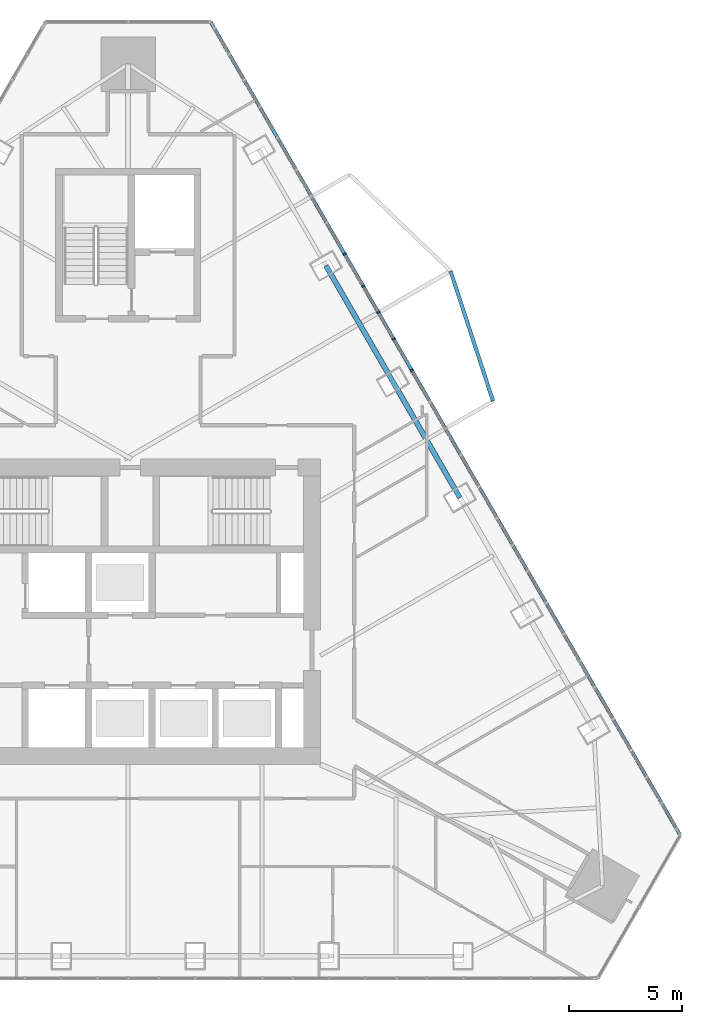
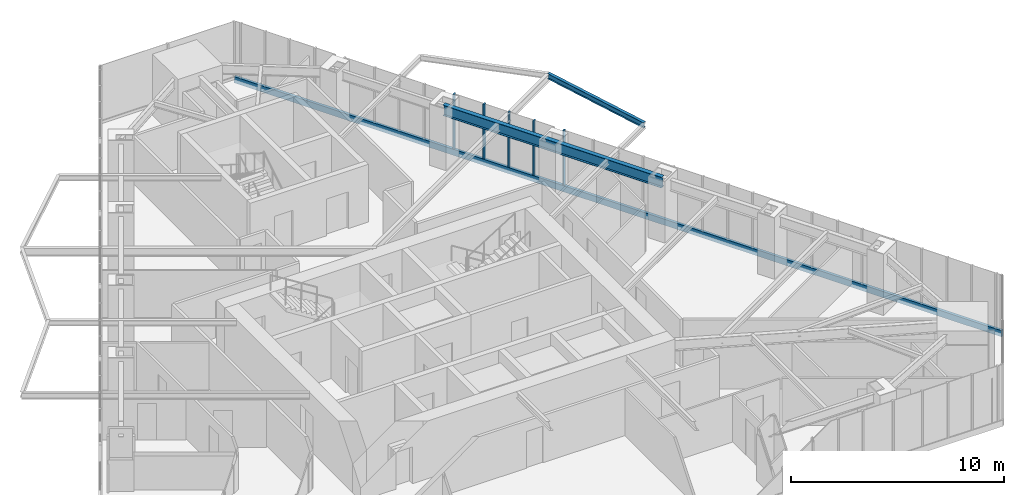
# One storey, part 8 of 19: 6 members, 2 beams, 1 element without a shape of its own.
"""IFC4 building model written with IfcOpenShell, lengths in metres."""

import ifcopenshell
import ifcopenshell.guid

model = None  # the IFC model being written
_history = None  # IfcOwnerHistory: only IFC2X3 demands one
_inside = {}  # id of a spatial element -> (the spatial element, [elements in it])
_under = {}  # id of a project, library or spatial element -> (it, [spatial elements below it])
_declared = {}  # id of a project -> (the project, [libraries it declares])
_typed = {}  # id of a type object -> (the type object, [elements of that type])
_made_of = {}  # id of a material, layer set ... -> (it, [elements and type objects made of it])


def new_model(schema):
    """Start an empty IFC model of exactly this schema.

    Asked for "IFC4X3", IfcOpenShell would pick the latest addendum, in which some entities
    have other attributes; the version numbers below select the first issue.
    IFC2X3 requires an IfcOwnerHistory on every rooted entity: one is made here for all.
    """
    global model, _history
    if schema == "IFC4X3":
        model = ifcopenshell.file(schema_version=(4, 3, 0, 0))
    else:
        model = ifcopenshell.file(schema=schema)
    _inside.clear()
    _under.clear()
    _declared.clear()
    _typed.clear()
    _made_of.clear()
    _history = None
    if model.schema == "IFC2X3":
        org = make("IfcOrganization", Name="unknown")
        user = make(
            "IfcPersonAndOrganization",
            ThePerson=make("IfcPerson", FamilyName="unknown"),
            TheOrganization=org,
        )
        app = make(
            "IfcApplication",
            ApplicationDeveloper=org,
            Version="unknown",
            ApplicationFullName="unknown",
            ApplicationIdentifier="unknown",
        )
        _history = make(
            "IfcOwnerHistory",
            OwningUser=user,
            OwningApplication=app,
            ChangeAction="ADDED",
            CreationDate=0,
        )
    return model


def make(cls, **values):
    """One entity of the class cls with the attributes given. An attribute that is None is left unset."""
    return model.create_entity(
        cls, **{name: value for name, value in values.items() if value is not None}
    )


def rooted(cls, **values):
    """An entity with a GlobalId (a new one), such as an element, a storey or a relation."""
    return make(cls, GlobalId=ifcopenshell.guid.new(), OwnerHistory=_history, **values)


def si_unit(unit_type, name, prefix=None):
    """IfcSIUnit, for example si_unit("LENGTHUNIT", "METRE", prefix="MILLI")."""
    return make("IfcSIUnit", UnitType=unit_type, Prefix=prefix, Name=name)


def assignment(units):
    """IfcUnitAssignment: the units of a project."""
    return None if units is None else make("IfcUnitAssignment", Units=units)


def point(xyz):
    """IfcCartesianPoint."""
    return None if xyz is None else make("IfcCartesianPoint", Coordinates=xyz)


def direction(xyz):
    """IfcDirection."""
    return None if xyz is None else make("IfcDirection", DirectionRatios=xyz)


def frame(location, z_axis=None, x_axis=None):
    """IfcAxis2Placement3D, a coordinate frame: its origin and axes. An axis left out is left unset."""
    return make(
        "IfcAxis2Placement3D",
        Location=point(location),
        Axis=direction(z_axis),
        RefDirection=direction(x_axis),
    )


def frame_2d(location, x_axis=None):
    """IfcAxis2Placement2D, a coordinate frame in the plane: its origin and x axis."""
    return make(
        "IfcAxis2Placement2D", Location=point(location), RefDirection=direction(x_axis)
    )


def origin():
    """The frame at (0, 0, 0) with its axes left unset."""
    return frame((0.0, 0.0, 0.0))


def origin_2d():
    """The frame at (0, 0) in the plane with its x axis left unset."""
    return frame_2d((0.0, 0.0))


def place(relative_to, where):
    """IfcLocalPlacement: puts the frame where relative to a parent placement (None: the world)."""
    return make(
        "IfcLocalPlacement", PlacementRelTo=relative_to, RelativePlacement=where
    )


def context(
    kind, dimensions, precision=None, world=None, true_north=None, identifier=None
):
    """IfcGeometricRepresentationContext, for example the 3D "Model" context."""
    return make(
        "IfcGeometricRepresentationContext",
        ContextIdentifier=identifier,
        ContextType=kind,
        CoordinateSpaceDimension=dimensions,
        Precision=precision,
        WorldCoordinateSystem=world,
        TrueNorth=true_north,
    )


def subcontext(parent, identifier, kind, view, scale=None):
    """IfcGeometricRepresentationSubContext, for example "Body" below "Model"."""
    return make(
        "IfcGeometricRepresentationSubContext",
        ContextIdentifier=identifier,
        ContextType=kind,
        ParentContext=parent,
        TargetScale=scale,
        TargetView=view,
    )


def project(units=None, contexts=None):
    """IfcProject with its units and contexts."""
    return rooted(
        "IfcProject",
        Name="project",
        RepresentationContexts=contexts,
        UnitsInContext=assignment(units),
    )


def spatial(cls, under=None, at=None, **own):
    """A site, building, storey or space (cls), placed at a placement, below another one or the project."""
    s = rooted(cls, ObjectPlacement=at, **own)
    if under is not None:
        _under.setdefault(under.id(), (under, []))[1].append(s)
    return s


def profile(cls, at=None, kind="AREA", **sizes):
    """A parametric profile (cls). Its sizes go by their IFC names, for example OverallWidth=200.0."""
    return make(cls, ProfileType=kind, Position=at, **sizes)


def rectangle(**sizes):
    """IfcRectangleProfileDef."""
    return profile("IfcRectangleProfileDef", **sizes)


def i_section(**sizes):
    """IfcIShapeProfileDef."""
    return profile("IfcIShapeProfileDef", **sizes)


def extrude(swept, where, along, depth):
    """IfcExtrudedAreaSolid: the profile swept, set in the frame where, extruded along a direction by depth."""
    return make(
        "IfcExtrudedAreaSolid",
        SweptArea=swept,
        Position=where,
        ExtrudedDirection=direction(along),
        Depth=depth,
    )


def shape(context_of_items, identifier, shape_type, items):
    """IfcShapeRepresentation: the items that make up one representation, for example the "Body"."""
    return make(
        "IfcShapeRepresentation",
        ContextOfItems=context_of_items,
        RepresentationIdentifier=identifier,
        RepresentationType=shape_type,
        Items=items,
    )


def material(Name=None, Category=None):
    """IfcMaterial."""
    return make("IfcMaterial", Name=Name, Category=Category)


def layer(
    of_material, thickness, ventilated=None, Name=None, Category=None, Priority=None
):
    """IfcMaterialLayer: one layer of a wall or slab, of a material (None: an air gap)."""
    return make(
        "IfcMaterialLayer",
        Material=of_material,
        LayerThickness=thickness,
        IsVentilated=ventilated,
        Name=Name,
        Category=Category,
        Priority=Priority,
    )


def layer_set(layers, Name=None):
    """IfcMaterialLayerSet."""
    return make("IfcMaterialLayerSet", MaterialLayers=layers, LayerSetName=Name)


def material_profile(
    of_material, cross_section, Name=None, Category=None, Priority=None
):
    """IfcMaterialProfile: a cross section and its material."""
    return make(
        "IfcMaterialProfile",
        Name=Name,
        Material=of_material,
        Profile=cross_section,
        Priority=Priority,
        Category=Category,
    )


def profile_set(profiles, Name=None, composite=None):
    """IfcMaterialProfileSet."""
    return make(
        "IfcMaterialProfileSet",
        Name=Name,
        MaterialProfiles=profiles,
        CompositeProfile=composite,
    )


def made_of(thing, what):
    """Note that an element or type object is made of a material, layer set ...; save() writes the relation."""
    if what is not None:
        _made_of.setdefault(what.id(), (what, []))[1].append(thing)
    return thing


def type_object(cls, material=None, **own):
    """A type object (cls), such as IfcWallType, which elements share."""
    return made_of(rooted(cls, **own), material)


def element(
    cls,
    number,
    at=None,
    inside=None,
    cuts=None,
    type_object=None,
    material=None,
    context=None,
    identifier="Body",
    shape_type=None,
    held_by="IfcProductDefinitionShape",
    body=None,
    shapes=None,
    **own,
):
    """One element of the class cls, such as IfcWall. Its Tag is "e" and its number.

    at: its placement. inside: the storey or other place that contains it. cuts: it is an
    opening in that element (IfcRelVoidsElement). A single representation is given by context,
    identifier, shape_type and body (its items); several are given by shapes. held_by: the class
    of the entity that holds the representations. save() writes the other relations.
    """
    e = rooted(cls, Tag="e%d" % number, ObjectPlacement=at, **own)
    if body is not None:
        shapes = [shape(context, identifier, shape_type, body)]
    if shapes is not None:
        e.Representation = make(held_by, Representations=shapes)
    if inside is not None:
        _inside.setdefault(inside.id(), (inside, []))[1].append(e)
    if cuts is not None:
        rooted(
            "IfcRelVoidsElement", RelatingBuildingElement=cuts, RelatedOpeningElement=e
        )
    if type_object is not None:
        _typed.setdefault(type_object.id(), (type_object, []))[1].append(e)
    return made_of(e, material)


def aggregate(whole, parts):
    """IfcRelAggregates: a whole, such as a stair, and the parts it consists of."""
    return rooted("IfcRelAggregates", RelatingObject=whole, RelatedObjects=parts)


def save(model, path):
    """Write the relations noted so far, then the file.

    IfcRelAggregates (storeys below a building ...), IfcRelContainedInSpatialStructure (elements
    in a storey), IfcRelDefinesByType, IfcRelAssociatesMaterial and IfcRelDeclares: one each for
    every whole, place, type object, material and project.
    """
    for whole, parts in _under.values():
        aggregate(whole, parts)
    for where, things in _inside.values():
        rooted(
            "IfcRelContainedInSpatialStructure",
            RelatedElements=things,
            RelatingStructure=where,
        )
    for kind, things in _typed.values():
        rooted("IfcRelDefinesByType", RelatedObjects=things, RelatingType=kind)
    for what, things in _made_of.values():
        rooted("IfcRelAssociatesMaterial", RelatedObjects=things, RelatingMaterial=what)
    for by, libraries in _declared.values():
        rooted("IfcRelDeclares", RelatingContext=by, RelatedDefinitions=libraries)
    model.write(path)


model = new_model("IFC4")

# Units and contexts
model_context = context("Model", 3, precision=1e-05, world=origin(), true_north=direction((0.0, 1.0)))
body_context = subcontext(model_context, "Body", "Model", "MODEL_VIEW")
ifc_project = project(units=[si_unit("LENGTHUNIT", "METRE"), si_unit("AREAUNIT", "SQUARE_METRE"), si_unit("VOLUMEUNIT", "CUBIC_METRE"), si_unit("PLANEANGLEUNIT", "RADIAN"), si_unit("MASSUNIT", "GRAM", prefix="KILO")], contexts=[model_context])

# Site, building, storey
site_placement = place(None, origin())
site = spatial("IfcSite", under=ifc_project, at=site_placement, CompositionType="ELEMENT")
building_placement = place(site_placement, origin())
building = spatial("IfcBuilding", under=site, at=building_placement, Name="Firuza Gate Tower and Library", CompositionType="ELEMENT")
storey_placement = place(building_placement, frame((0.0, 0.0, 316.10009765625)))
storey = spatial("IfcBuildingStorey", under=building, at=storey_placement, Name="L77", CompositionType="ELEMENT", Elevation=316.10009765625)

# Curtain wall, members
ifc_material_1 = material(Name="Aluminium 6063-T6", Category="aluminium")
ifc_layer = layer(ifc_material_1, 0.14990234375)
ifc_layer_set = layer_set([ifc_layer], Name="Unitised curtain wall, residences")
curtain_wall_type = type_object("IfcCurtainWallType", Name="Unitised curtain wall, residences", PredefinedType="NOTDEFINED", material=ifc_layer_set)
curtain_wall_placement = place(storey_placement, origin())
curtain_wall = element("IfcCurtainWall", 1, at=curtain_wall_placement, inside=storey, type_object=curtain_wall_type, Name="CW3 L77 E face", PredefinedType="NOTDEFINED")
ifc_material_2 = material(Name="Aluminium 6063-T6", Category="aluminium")
ifc_material_profile_1 = material_profile(ifc_material_2, rectangle(XDim=0.14990234375, YDim=0.080078125, at=origin_2d()))
ifc_profile_set_1 = profile_set([ifc_material_profile_1], Name="Aluminium 6063-T6")
member_type_1 = type_object("IfcMemberType", Name="Curtain wall mullion 80x150", PredefinedType="MULLION", material=ifc_profile_set_1)
member_1_placement = place(storey_placement, frame((87.541748046875, 85.666015625, 0.14990234375), z_axis=(0.0, 0.0, 1.0), x_axis=(-0.866025403784, -0.5, 0.0)))
member_1 = element("IfcMember", 2, at=member_1_placement, type_object=member_type_1, Name="Mullion", PredefinedType="MULLION", context=body_context, shape_type="SweptSolid", body=[
    extrude(rectangle(XDim=0.14990234375, YDim=0.080078125, at=origin_2d()), origin(), (0.0, 0.0, 1.0), 3.14990234375),
])
member_2_placement = place(storey_placement, frame((86.058837890625, 88.23486328125, 0.14990234375), z_axis=(0.0, 0.0, 1.0), x_axis=(-0.866025403784, -0.5, 0.0)))
member_2 = element("IfcMember", 3, at=member_2_placement, type_object=member_type_1, Name="Mullion", PredefinedType="MULLION", context=body_context, shape_type="SweptSolid", body=[
    extrude(rectangle(XDim=0.14990234375, YDim=0.080078125, at=origin_2d()), origin(), (0.0, 0.0, 1.0), 3.14990234375),
])
member_3_placement = place(storey_placement, frame((84.57568359375, 90.8037109375, 0.14990234375), z_axis=(0.0, 0.0, 1.0), x_axis=(-0.866025403784, -0.5, 0.0)))
member_3 = element("IfcMember", 4, at=member_3_placement, type_object=member_type_1, Name="Mullion", PredefinedType="MULLION", context=body_context, shape_type="SweptSolid", body=[
    extrude(rectangle(XDim=0.14990234375, YDim=0.080078125, at=origin_2d()), origin(), (0.0, 0.0, 1.0), 3.14990234375),
])
member_4_placement = place(storey_placement, frame((86.739501953125, 87.055908203125, 0.14990234375), z_axis=(0.0, 0.0, 1.0), x_axis=(-0.866025403784, -0.5, 0.0)))
member_4 = element("IfcMember", 5, at=member_4_placement, type_object=member_type_1, Name="Mullion", PredefinedType="MULLION", context=body_context, shape_type="SweptSolid", body=[
    extrude(rectangle(XDim=0.14990234375, YDim=0.080078125, at=origin_2d()), origin(), (0.0, 0.0, 1.0), 3.14990234375),
])
member_5_placement = place(storey_placement, frame((85.390625, 89.392333984375, 0.14990234375), z_axis=(0.0, 0.0, 1.0), x_axis=(-0.866025403784, -0.5, 0.0)))
member_5 = element("IfcMember", 6, at=member_5_placement, type_object=member_type_1, Name="Mullion", PredefinedType="MULLION", context=body_context, shape_type="SweptSolid", body=[
    extrude(rectangle(XDim=0.14990234375, YDim=0.080078125, at=origin_2d()), origin(), (0.0, 0.0, 1.0), 3.14990234375),
])
ifc_material_3 = material(Name="Aluminium 6063-T6", Category="aluminium")
ifc_material_profile_2 = material_profile(ifc_material_3, rectangle(XDim=0.14990234375, YDim=0.35009765625, at=origin_2d()))
ifc_profile_set_2 = profile_set([ifc_material_profile_2], Name="Aluminium 6063-T6")
member_type_2 = type_object("IfcMemberType", Name="Curtain wall transom 350x150", PredefinedType="USERDEFINED", material=ifc_profile_set_2)
member_6_placement = place(storey_placement, frame((99.406494140625, 65.11572265625, -0.025146484375), z_axis=(-0.499997436385, 0.866026883883, 0.0), x_axis=(-0.866026883883, -0.499997436385, 0.0)))
member_6 = element("IfcMember", 7, at=member_6_placement, type_object=member_type_2, Name="Transom", ObjectType="TRANSOM", PredefinedType="USERDEFINED", context=body_context, shape_type="SweptSolid", body=[
    extrude(rectangle(XDim=0.14990234375, YDim=0.35009765625, at=origin_2d()), origin(), (0.0, 0.0, 1.0), 41.526611328125),
])
aggregate(curtain_wall, [member_1, member_2, member_3, member_6, member_4, member_5])

# Beams
ifc_material_4 = material(Name="Steel S355", Category="steel")
ifc_material_profile_3 = material_profile(ifc_material_4, i_section(OverallWidth=0.1650390625, OverallDepth=0.31005859375, WebThickness=0.005859375, FlangeThickness=0.009765625, at=origin_2d()))
ifc_profile_set_3 = profile_set([ifc_material_profile_3], Name="Steel S355")
beam_type_1 = type_object("IfcBeamType", Name="W310x39 Floor beam", PredefinedType="JOIST", material=ifc_profile_set_3)
beam_1_placement = place(storey_placement, frame((91.127685546875, 84.311279296875, 3.14501953125), z_axis=(-0.310762693523, 0.950487531909, 0.0), x_axis=(-0.950487531909, -0.310762693523, 0.0)))
element("IfcBeam", 8, at=beam_1_placement, inside=storey, type_object=beam_type_1, Name="Tray edge beam L77 s52-s53", PredefinedType="JOIST", context=body_context, shape_type="SweptSolid", body=[
    extrude(i_section(OverallWidth=0.1650390625, OverallDepth=0.31005859375, WebThickness=0.005859375, FlangeThickness=0.009765625, at=origin_2d()), origin(), (0.0, 0.0, 1.0), 6.050048828125),
])
ifc_material_5 = material(Name="Steel S355", Category="steel")
ifc_material_profile_4 = material_profile(ifc_material_5, i_section(OverallWidth=0.22900390625, OverallDepth=0.612060546875, WebThickness=0.011962890625, FlangeThickness=0.01953125, at=origin_2d()))
ifc_profile_set_4 = profile_set([ifc_material_profile_4], Name="Steel S355")
beam_type_2 = type_object("IfcBeamType", Name="W610x125 Edge beam", PredefinedType="SPANDREL", material=ifc_profile_set_4)
beam_2_placement = place(storey_placement, frame((89.66064453125, 80.04638671875, 2.993896484375), z_axis=(-0.500013393289, 0.866017671027, 0.0), x_axis=(-0.866017671027, -0.500013393289, 0.0)))
element("IfcBeam", 9, at=beam_2_placement, inside=storey, type_object=beam_type_2, Name="Edge beam L77 e52", PredefinedType="SPANDREL", context=body_context, shape_type="SweptSolid", body=[
    extrude(i_section(OverallWidth=0.22900390625, OverallDepth=0.612060546875, WebThickness=0.011962890625, FlangeThickness=0.01953125, at=origin_2d()), origin(), (0.0, 0.0, 1.0), 11.840087890625),
])

save(model, "model.ifc")
